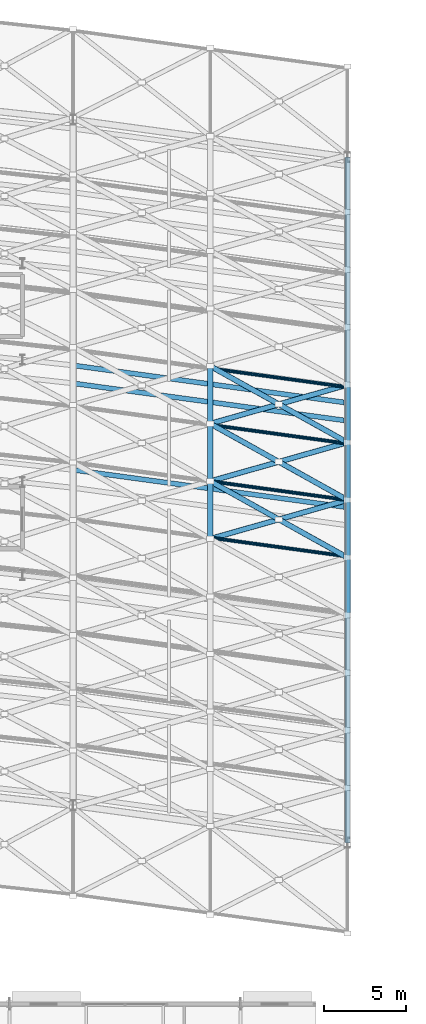
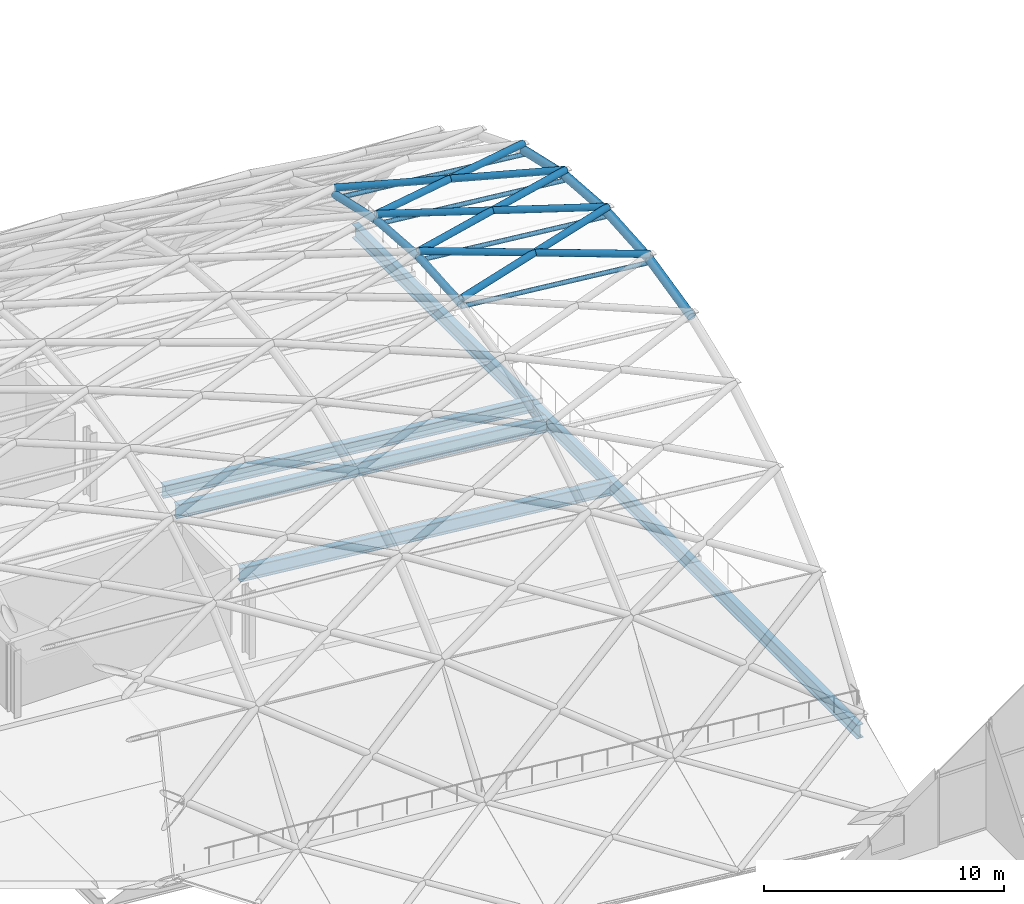
# One storey, part 55 of 100: 20 members, 4 beams.
"""IFC4 building model written with IfcOpenShell, lengths in metres."""

from ifc_helpers import new_model, si_unit, direction, frame, origin, origin_2d, place, context, subcontext, project, spatial, hollow_circle, i_section, extrude, material, material_profile, profile_set, type_object, element, save


model = new_model("IFC4")

# Units and contexts
model_context = context("Model", 3, precision=1e-05, world=origin(), true_north=direction((0.0, 1.0)))
body_context = subcontext(model_context, "Body", "Model", "MODEL_VIEW")
ifc_project = project(units=[si_unit("LENGTHUNIT", "METRE"), si_unit("AREAUNIT", "SQUARE_METRE"), si_unit("VOLUMEUNIT", "CUBIC_METRE"), si_unit("PLANEANGLEUNIT", "RADIAN"), si_unit("MASSUNIT", "GRAM", prefix="KILO")], contexts=[model_context])

# Site, building, storey
site_placement = place(None, origin())
site = spatial("IfcSite", under=ifc_project, at=site_placement, CompositionType="ELEMENT")
building_placement = place(site_placement, origin())
building = spatial("IfcBuilding", under=site, at=building_placement, Name="Kimbaza Rail Terminus", CompositionType="ELEMENT")
storey_placement = place(building_placement, frame((0.0, 0.0, 10.800048828125)))
storey = spatial("IfcBuildingStorey", under=building, at=storey_placement, Name="L02", CompositionType="ELEMENT", Elevation=10.800048828125)

# Beams
ifc_material_1 = material(Name="Steel S355", Category="steel")
ifc_material_profile_1 = material_profile(ifc_material_1, i_section(OverallWidth=0.300048828125, OverallDepth=0.64990234375, WebThickness=0.01611328125, FlangeThickness=0.031005859375, FilletRadius=0.027099609375, at=origin_2d()), Name="HEB 650")
ifc_profile_set_1 = profile_set([ifc_material_profile_1], Name="Steel S355")
beam_type_1 = type_object("IfcBeamType", Name="STR-BM-HEB650", PredefinedType="USERDEFINED", material=ifc_profile_set_1)
beam_1_placement = place(storey_placement, frame((189.74365234375, 77.10400390625, -0.5849609375), z_axis=(0.990777321611, -0.135500180745, 0.0), x_axis=(0.135500180745, 0.990777321611, 0.0)))
element("IfcBeam", 1, at=beam_1_placement, inside=storey, type_object=beam_type_1, Name="Viaduct Chorded Girder P3 Bay 11", ObjectType="GIRDER", PredefinedType="USERDEFINED", context=body_context, shape_type="SweptSolid", body=[
    extrude(i_section(OverallWidth=0.300048828125, OverallDepth=0.64990234375, WebThickness=0.01611328125, FlangeThickness=0.031005859375, FilletRadius=0.027099609375, at=origin_2d()), origin(), (0.0, 0.0, 1.0), 16.66650390625),
])
ifc_material_2 = material(Name="Steel S355", Category="steel")
ifc_material_profile_2 = material_profile(ifc_material_2, i_section(OverallWidth=0.300048828125, OverallDepth=0.699951171875, WebThickness=0.01708984375, FlangeThickness=0.031982421875, FilletRadius=0.027099609375, at=origin_2d()), Name="HEB 700")
ifc_profile_set_2 = profile_set([ifc_material_profile_2], Name="Steel S355")
beam_type_2 = type_object("IfcBeamType", Name="STR-BM-HEB700", PredefinedType="USERDEFINED", material=ifc_profile_set_2)
beam_2_placement = place(storey_placement, frame((206.39990234375, 47.8759765625, -0.920166015625), z_axis=(0.0, 1.0, 0.0), x_axis=(-1.0, 0.0, 0.0)))
element("IfcBeam", 2, at=beam_2_placement, inside=storey, type_object=beam_type_2, Name="Viaduct Pier Crosshead Girder VP-12", ObjectType="GIRDER", PredefinedType="USERDEFINED", context=body_context, shape_type="SweptSolid", body=[
    extrude(i_section(OverallWidth=0.300048828125, OverallDepth=0.699951171875, WebThickness=0.01708984375, FlangeThickness=0.031982421875, FilletRadius=0.027099609375, at=origin_2d()), origin(), (0.0, 0.0, 1.0), 42.0),
])
for number, where, z_axis, x_axis, name in (
    (3, (189.74365234375, 70.703857421875, -0.920166015625), (0.990777321611, -0.135500180745, 0.0), (0.135500180745, 0.990777321611, 0.0), "Viaduct Chorded Girder TR34 Bay 11"),
    (4, (189.74365234375, 76.00390625, -0.920166015625), (0.990777321611, -0.135500180745, 0.0), (0.135500180745, 0.990777321611, 0.0), "Viaduct Chorded Girder TR34 Bay 11"),
):
    element("IfcBeam", number, at=place(storey_placement, frame(where, z_axis=z_axis, x_axis=x_axis)), inside=storey, type_object=beam_type_2, Name=name, ObjectType="GIRDER", PredefinedType="USERDEFINED", context=body_context, shape_type="SweptSolid", body=[
        extrude(i_section(OverallWidth=0.300048828125, OverallDepth=0.699951171875, WebThickness=0.01708984375, FlangeThickness=0.031982421875, FilletRadius=0.027099609375, at=origin_2d()), origin(), (0.0, 0.0, 1.0), 16.66650390625),
    ])

# Members
ifc_material_3 = material(Name="White painted steel S355", Category="steel")
ifc_material_profile_3 = material_profile(ifc_material_3, hollow_circle(Radius=0.109619140625, WallThickness=0.008056640625, at=origin_2d()), Name="CHS 219.1x8")
ifc_profile_set_3 = profile_set([ifc_material_profile_3], Name="White painted steel S355")
member_type_1 = type_object("IfcMemberType", Name="STR-MB-CHS219", PredefinedType="PURLIN", material=ifc_profile_set_3)
for number, where, z_axis, x_axis, name in (
    (5, (198.0, 66.56787109375, 12.25244140625), (0.990775062808, -0.135516696087, 0.0), (0.135516696087, 0.990775062808, 0.0), "Vault lattice longitudinal purlin VR-21-VA06"),
    (6, (198.0, 70.02490234375, 12.510009765625), (0.990775062808, -0.135516696087, 0.0), (0.135516696087, 0.990775062808, 0.0), "Vault lattice longitudinal purlin VR-21-VA07"),
    (7, (198.0, 73.48193359375, 12.25244140625), (0.990775062808, -0.135516696087, 0.0), (0.135516696087, 0.990775062808, 0.0), "Vault lattice longitudinal purlin VR-21-VA08"),
    (8, (198.0, 76.93896484375, 11.462158203125), (0.990775062808, -0.135516696087, 0.0), (0.135516696087, 0.990775062808, 0.0), "Vault lattice longitudinal purlin VR-21-VA09"),
):
    element("IfcMember", number, at=place(storey_placement, frame(where, z_axis=z_axis, x_axis=x_axis)), inside=storey, type_object=member_type_1, Name=name, PredefinedType="PURLIN", context=body_context, shape_type="SweptSolid", body=[
        extrude(hollow_circle(Radius=0.109619140625, WallThickness=0.008056640625, at=origin_2d()), origin(), (0.0, 0.0, 1.0), 8.47802734375),
    ])
ifc_material_4 = material(Name="White painted steel S355", Category="steel")
ifc_material_profile_4 = material_profile(ifc_material_4, hollow_circle(Radius=0.161865234375, WallThickness=0.010009765625, at=origin_2d()), Name="CHS 323.9x10")
ifc_profile_set_4 = profile_set([ifc_material_profile_4], Name="White painted steel S355")
member_type_2 = type_object("IfcMemberType", Name="STR-MB-CHS323", PredefinedType="STRUT", material=ifc_profile_set_4)
member_1_placement = place(storey_placement, frame((198.0, 66.498046875, 12.71728515625), z_axis=(0.961752747069, 0.272262737791, 0.030077485202), x_axis=(-0.272385973351, 0.962188069725, 0.0)))
element("IfcMember", 9, at=member_1_placement, inside=storey, type_object=member_type_2, Name="Vault lattice diagonal A VR-21-VA06", PredefinedType="STRUT", context=body_context, shape_type="SweptSolid", body=[
    extrude(hollow_circle(Radius=0.161865234375, WallThickness=0.010009765625, at=origin_2d()), origin(), (0.0, 0.0, 1.0), 8.73388671875),
])
for number, where, z_axis, x_axis, name in (
    (10, (206.39990234375, 65.349365234375, 12.71728515625), (-0.873447621669, 0.486151309509, 0.027315864701), (-0.486332783542, -0.873773668436, 0.0), "Vault lattice diagonal B1 VR-21-VA06"),
    (11, (202.199951171875, 67.68701171875, 12.8486328125), (-0.873426061726, 0.486190081212, 0.027315190444), (-0.486371560754, -0.873752084341, 0.0), "Vault lattice diagonal B2 VR-21-VA06"),
):
    element("IfcMember", number, at=place(storey_placement, frame(where, z_axis=z_axis, x_axis=x_axis)), inside=storey, type_object=member_type_2, Name=name, PredefinedType="STRUT", context=body_context, shape_type="SweptSolid", body=[
        extrude(hollow_circle(Radius=0.161865234375, WallThickness=0.010009765625, at=origin_2d()), origin(), (0.0, 0.0, 1.0), 4.80859375),
    ])
member_2_placement = place(storey_placement, frame((198.0, 70.02490234375, 12.97998046875), z_axis=(0.961752747069, 0.272262737791, -0.030077485202), x_axis=(-0.272385973351, 0.962188069725, 0.0)))
element("IfcMember", 12, at=member_2_placement, inside=storey, type_object=member_type_2, Name="Vault lattice diagonal A VR-21-VA07", PredefinedType="STRUT", context=body_context, shape_type="SweptSolid", body=[
    extrude(hollow_circle(Radius=0.161865234375, WallThickness=0.010009765625, at=origin_2d()), origin(), (0.0, 0.0, 1.0), 8.73388671875),
])
for number, where, z_axis, x_axis, name in (
    (13, (206.39990234375, 68.8759765625, 12.97998046875), (-0.873426061726, 0.486190081212, -0.027315190444), (-0.486371560754, -0.873752084341, 0.0), "Vault lattice diagonal B1 VR-21-VA07"),
    (14, (202.199951171875, 71.2138671875, 12.8486328125), (-0.873447621669, 0.486151309509, -0.027315864701), (-0.486332783542, -0.873773668436, 0.0), "Vault lattice diagonal B2 VR-21-VA07"),
):
    element("IfcMember", number, at=place(storey_placement, frame(where, z_axis=z_axis, x_axis=x_axis)), inside=storey, type_object=member_type_2, Name=name, PredefinedType="STRUT", context=body_context, shape_type="SweptSolid", body=[
        extrude(hollow_circle(Radius=0.161865234375, WallThickness=0.010009765625, at=origin_2d()), origin(), (0.0, 0.0, 1.0), 4.80859375),
    ])
member_3_placement = place(storey_placement, frame((198.0, 73.551513671875, 12.71728515625), z_axis=(0.958111742966, 0.271232005362, -0.09195154843), x_axis=(-0.272385973351, 0.962188069725, 0.0)))
element("IfcMember", 15, at=member_3_placement, inside=storey, type_object=member_type_2, Name="Vault lattice diagonal A VR-21-VA08", PredefinedType="STRUT", context=body_context, shape_type="SweptSolid", body=[
    extrude(hollow_circle(Radius=0.161865234375, WallThickness=0.010009765625, at=origin_2d()), origin(), (0.0, 0.0, 1.0), 8.76708984375),
])
for number, where, z_axis, x_axis, name in (
    (16, (206.39990234375, 72.40283203125, 12.71728515625), (-0.87071755489, 0.48463178446, -0.083564185498), (-0.486332783542, -0.873773668436, 0.0), "Vault lattice diagonal B1 VR-21-VA08"),
    (17, (202.199951171875, 74.740478515625, 12.314208984375), (-0.87071755489, 0.48463178446, -0.083564185498), (-0.486332783542, -0.873773668436, 0.0), "Vault lattice diagonal B2 VR-21-VA08"),
):
    element("IfcMember", number, at=place(storey_placement, frame(where, z_axis=z_axis, x_axis=x_axis)), inside=storey, type_object=member_type_2, Name=name, PredefinedType="STRUT", context=body_context, shape_type="SweptSolid", body=[
        extrude(hollow_circle(Radius=0.161865234375, WallThickness=0.010009765625, at=origin_2d()), origin(), (0.0, 0.0, 1.0), 4.823486328125),
    ])
ifc_material_5 = material(Name="White painted steel S355", Category="steel")
ifc_material_profile_5 = material_profile(ifc_material_5, hollow_circle(Radius=0.177734375, WallThickness=0.012451171875, at=origin_2d()), Name="CHS 355.6x12.5")
ifc_profile_set_5 = profile_set([ifc_material_profile_5], Name="White painted steel S355")
member_type_3 = type_object("IfcMemberType", Name="STR-MB-CHS355", PredefinedType="CHORD", material=ifc_profile_set_5)
member_4_placement = place(storey_placement, frame((198.0, 66.54248046875, 12.420654296875), z_axis=(0.0, 0.997239832813, 0.074247665623), x_axis=(-1.0, 0.0, 0.0)))
element("IfcMember", 18, at=member_4_placement, inside=storey, type_object=member_type_3, Name="Vault lattice arch chord VR-21 seg 7", PredefinedType="CHORD", context=body_context, shape_type="SweptSolid", body=[
    extrude(hollow_circle(Radius=0.177734375, WallThickness=0.012451171875, at=origin_2d()), origin(), (0.0, 0.0, 1.0), 3.491943359375),
])
member_5_placement = place(storey_placement, frame((198.0, 70.02490234375, 12.679931640625), z_axis=(0.0, 0.997239447362, -0.074252842537), x_axis=(-1.0, 0.0, 0.0)))
element("IfcMember", 19, at=member_5_placement, inside=storey, type_object=member_type_3, Name="Vault lattice arch chord VR-21 seg 8", PredefinedType="CHORD", context=body_context, shape_type="SweptSolid", body=[
    extrude(hollow_circle(Radius=0.177734375, WallThickness=0.012451171875, at=origin_2d()), origin(), (0.0, 0.0, 1.0), 3.49169921875),
])
member_6_placement = place(storey_placement, frame((198.0, 73.507080078125, 12.420654296875), z_axis=(0.0, 0.974845354939, -0.22288233208), x_axis=(-1.0, 0.0, 0.0)))
element("IfcMember", 20, at=member_6_placement, inside=storey, type_object=member_type_3, Name="Vault lattice arch chord VR-21 seg 9", PredefinedType="CHORD", context=body_context, shape_type="SweptSolid", body=[
    extrude(hollow_circle(Radius=0.177734375, WallThickness=0.012451171875, at=origin_2d()), origin(), (0.0, 0.0, 1.0), 3.572021484375),
])
ifc_material_6 = material(Name="White painted steel S355", Category="steel")
ifc_material_profile_6 = material_profile(ifc_material_6, hollow_circle(Radius=0.203125, WallThickness=0.01416015625, at=origin_2d()), Name="CHS 406.4x14.2")
ifc_profile_set_6 = profile_set([ifc_material_profile_6], Name="White painted steel S355")
member_type_4 = type_object("IfcMemberType", Name="STR-MB-CHS406", PredefinedType="CHORD", material=ifc_profile_set_6)
member_7_placement = place(storey_placement, frame((206.39990234375, 61.91162109375, 11.62451171875), z_axis=(0.0, 0.974845354939, 0.22288233208), x_axis=(-1.0, 0.0, 0.0)))
element("IfcMember", 21, at=member_7_placement, inside=storey, type_object=member_type_4, Name="Vault lattice arch chord VR-22 seg 6", PredefinedType="CHORD", context=body_context, shape_type="SweptSolid", body=[
    extrude(hollow_circle(Radius=0.203125, WallThickness=0.01416015625, at=origin_2d()), origin(), (0.0, 0.0, 1.0), 3.572021484375),
])
for number, where, z_axis, x_axis, name in (
    (22, (206.39990234375, 65.393798828125, 12.420654296875), (0.0, 0.997239447362, 0.074252842537), (-1.0, 0.0, 0.0), "Vault lattice arch chord VR-22 seg 7"),
    (23, (206.39990234375, 68.8759765625, 12.679931640625), (0.0, 0.997239447362, -0.074252842537), (-1.0, 0.0, 0.0), "Vault lattice arch chord VR-22 seg 8"),
):
    element("IfcMember", number, at=place(storey_placement, frame(where, z_axis=z_axis, x_axis=x_axis)), inside=storey, type_object=member_type_4, Name=name, PredefinedType="CHORD", context=body_context, shape_type="SweptSolid", body=[
        extrude(hollow_circle(Radius=0.203125, WallThickness=0.01416015625, at=origin_2d()), origin(), (0.0, 0.0, 1.0), 3.49169921875),
    ])
member_8_placement = place(storey_placement, frame((206.39990234375, 72.358154296875, 12.420654296875), z_axis=(0.0, 0.974848749884, -0.22286748271), x_axis=(-1.0, 0.0, 0.0)))
element("IfcMember", 24, at=member_8_placement, inside=storey, type_object=member_type_4, Name="Vault lattice arch chord VR-22 seg 9", PredefinedType="CHORD", context=body_context, shape_type="SweptSolid", body=[
    extrude(hollow_circle(Radius=0.203125, WallThickness=0.01416015625, at=origin_2d()), origin(), (0.0, 0.0, 1.0), 3.572265625),
])

save(model, "model.ifc")
